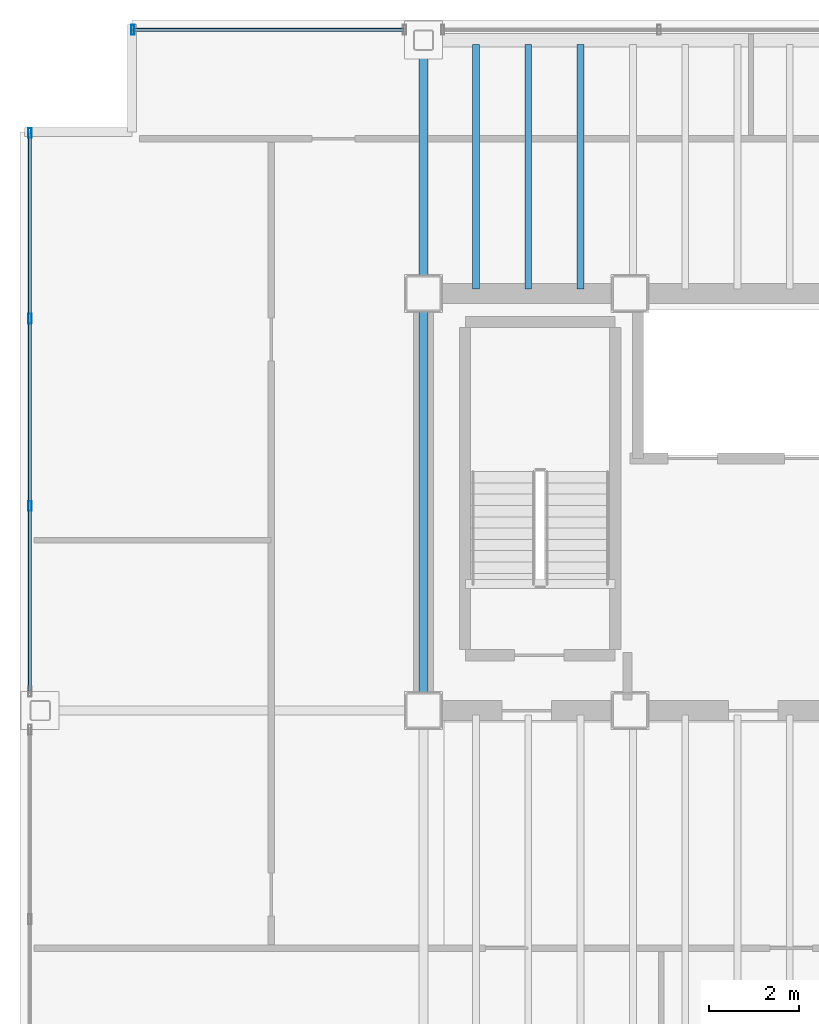
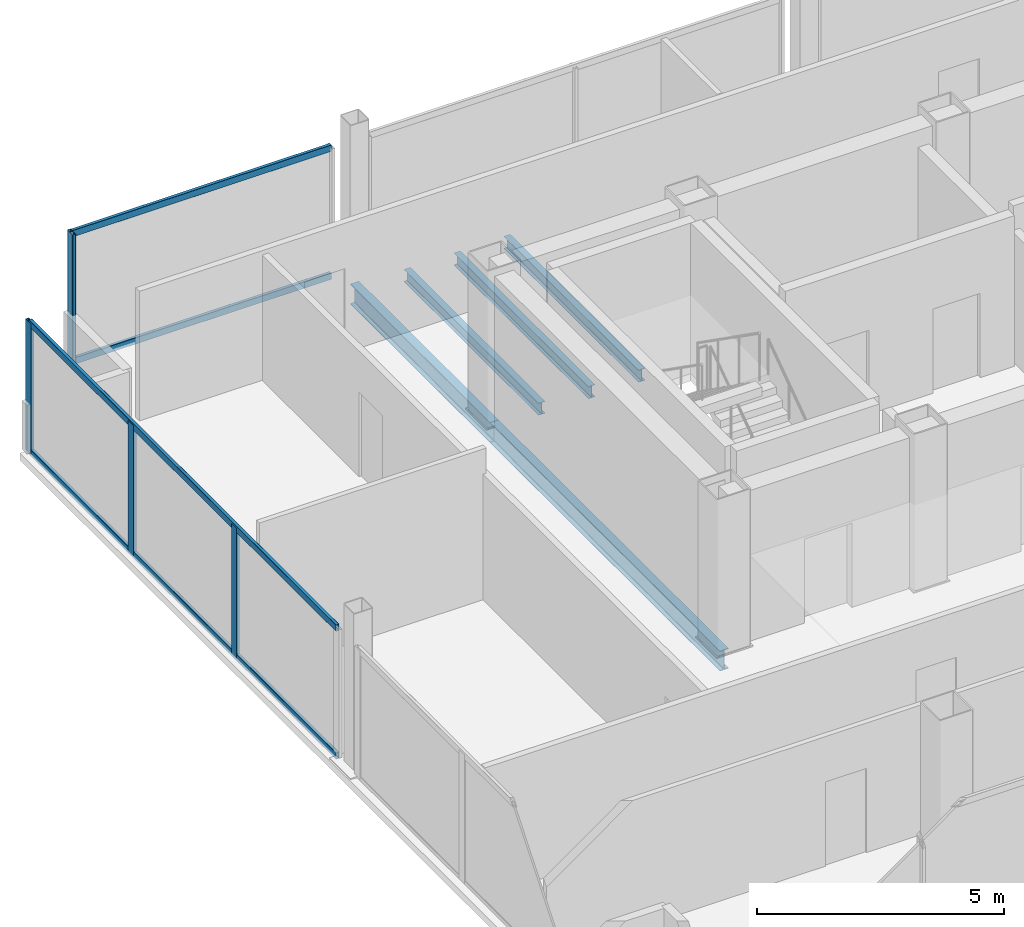
# One storey, part 8 of 17: 8 members, 5 beams, 2 elements without a shape of their own.
"""IFC4 building model written with IfcOpenShell, lengths in metres."""

from ifc_helpers import new_model, si_unit, direction, frame, origin, origin_2d, place, context, subcontext, project, spatial, hollow_rectangle, i_section, extrude, material, material_profile, profile_set, type_object, element, aggregate, save


model = new_model("IFC4")

# Units and contexts
model_context = context("Model", 3, precision=1e-05, world=origin(), true_north=direction((0.0, 1.0)))
body_context = subcontext(model_context, "Body", "Model", "MODEL_VIEW")
ifc_project = project(units=[si_unit("LENGTHUNIT", "METRE"), si_unit("AREAUNIT", "SQUARE_METRE"), si_unit("VOLUMEUNIT", "CUBIC_METRE"), si_unit("PLANEANGLEUNIT", "RADIAN"), si_unit("MASSUNIT", "GRAM", prefix="KILO")], contexts=[model_context])

# Site, building, storey
site_placement = place(None, origin())
site = spatial("IfcSite", under=ifc_project, at=site_placement, CompositionType="ELEMENT")
building_placement = place(site_placement, origin())
building = spatial("IfcBuilding", under=site, at=building_placement, Name="Noeulbin Bourse Tower", CompositionType="ELEMENT")
storey_placement = place(building_placement, frame((0.0, 0.0, 261.800048828125)))
storey = spatial("IfcBuildingStorey", under=building, at=storey_placement, Name="L65", CompositionType="ELEMENT", Elevation=261.800048828125)

# Beams
ifc_material_1 = material(Name="Steel S355", Category="steel")
ifc_material_profile_1 = material_profile(ifc_material_1, i_section(OverallWidth=0.199951171875, OverallDepth=0.5, WebThickness=0.010009765625, FlangeThickness=0.01611328125, FilletRadius=0.02001953125, at=origin_2d()), Name="H-500x200x10x16", Category="LoadBearing")
ifc_profile_set_1 = profile_set([ifc_material_profile_1], Name="Steel S355")
beam_type_1 = type_object("IfcBeamType", Name="BM-GRD-500", PredefinedType="USERDEFINED", material=ifc_profile_set_1)
beam_1_placement = place(storey_placement, frame((13.5, 29.0, -0.429931640625), z_axis=(0.0, 1.0, 0.0), x_axis=(-1.0, 0.0, 0.0)))
element("IfcBeam", 1, at=beam_1_placement, inside=storey, type_object=beam_type_1, Name="Tower Primary Girder NS L65-1.3", ObjectType="GIRDER", PredefinedType="USERDEFINED", context=body_context, shape_type="SweptSolid", body=[
    extrude(i_section(OverallWidth=0.199951171875, OverallDepth=0.5, WebThickness=0.010009765625, FlangeThickness=0.01611328125, FilletRadius=0.02001953125, at=origin_2d()), origin(), (0.0, 0.0, 1.0), 9.300048828125),
])
beam_2_placement = place(storey_placement, frame((13.5, 38.300048828125, -0.429931640625), z_axis=(0.0, 1.0, 0.0), x_axis=(-1.0, 0.0, 0.0)))
element("IfcBeam", 2, at=beam_2_placement, inside=storey, type_object=beam_type_1, Name="Tower Primary Girder NS L65-1.4", ObjectType="GIRDER", PredefinedType="USERDEFINED", context=body_context, shape_type="SweptSolid", body=[
    extrude(i_section(OverallWidth=0.199951171875, OverallDepth=0.5, WebThickness=0.010009765625, FlangeThickness=0.01611328125, FilletRadius=0.02001953125, at=origin_2d()), origin(), (0.0, 0.0, 1.0), 5.64990234375),
])
ifc_material_profile_2 = material_profile(ifc_material_1, i_section(OverallWidth=0.14990234375, OverallDepth=0.300048828125, WebThickness=0.006591796875, FlangeThickness=0.009033203125, FilletRadius=0.012939453125, at=origin_2d()), Name="H-300x150x6.5x9", Category="LoadBearing")
ifc_profile_set_2 = profile_set([ifc_material_profile_2], Name="Steel S355")
beam_type_2 = type_object("IfcBeamType", Name="BM-JST-300", PredefinedType="JOIST", material=ifc_profile_set_2)
for number, where, z_axis, x_axis, name in (
    (3, (14.666748046875, 38.39990234375, -0.330078125), (0.0, 1.0, 0.0), (-1.0, 0.0, 0.0), "Tower Composite Joist L65-02"),
    (4, (15.833251953125, 38.39990234375, -0.330078125), (0.0, 1.0, 0.0), (-1.0, 0.0, 0.0), "Tower Composite Joist L65-04"),
    (5, (17.0, 38.39990234375, -0.330078125), (0.0, 1.0, 0.0), (-1.0, 0.0, 0.0), "Tower Composite Joist L65-06"),
):
    element("IfcBeam", number, at=place(storey_placement, frame(where, z_axis=z_axis, x_axis=x_axis)), inside=storey, type_object=beam_type_2, Name=name, PredefinedType="JOIST", context=body_context, shape_type="SweptSolid", body=[
        extrude(i_section(OverallWidth=0.14990234375, OverallDepth=0.300048828125, WebThickness=0.006591796875, FlangeThickness=0.009033203125, FilletRadius=0.012939453125, at=origin_2d()), origin(), (0.0, 0.0, 1.0), 5.4501953125),
    ])

# Curtain wall, member
ifc_material_2 = material(Name="High-Selectivity Low-Iron Glazing", Category="glass")
curtain_wall_type = type_object("IfcCurtainWallType", Name="CW-SYS-4", PredefinedType="NOTDEFINED", material=ifc_material_2)
curtain_wall_1_placement = place(storey_placement, origin())
curtain_wall_1 = element("IfcCurtainWall", 6, at=curtain_wall_1_placement, inside=storey, type_object=curtain_wall_type, Name="Unitised Curtain Wall CW-L65-N-S1", PredefinedType="NOTDEFINED")
ifc_material_3 = material(Name="Anodised Aluminium 6063-T6", Category="aluminium")
ifc_material_profile_3 = material_profile(ifc_material_3, hollow_rectangle(XDim=0.074951171875, YDim=0.219970703125, WallThickness=0.0048828125, InnerFilletRadius=0.00244140625, OuterFilletRadius=0.0048828125, at=origin_2d()), Name="ALU-MULL-75x220x5", Category="LoadBearing")
ifc_profile_set_3 = profile_set([ifc_material_profile_3], Name="Anodised Aluminium 6063-T6")
member_type_1 = type_object("IfcMemberType", Name="CW-SYS-4-MUL", PredefinedType="MULLION", material=ifc_profile_set_3)
member_1_placement = place(storey_placement, frame((7.02001953125, 44.179931640625, -0.02001953125), z_axis=(0.0, 0.0, 1.0), x_axis=(1.0, 0.0, 0.0)))
member_1 = element("IfcMember", 7, at=member_1_placement, type_object=member_type_1, Name="Curtain Wall Mullion CW-L65-N-S1-M00", PredefinedType="MULLION", context=body_context, shape_type="SweptSolid", body=[
    extrude(hollow_rectangle(XDim=0.074951171875, YDim=0.219970703125, WallThickness=0.0048828125, InnerFilletRadius=0.00244140625, OuterFilletRadius=0.0048828125, at=origin_2d()), origin(), (0.0, 0.0, 1.0), 3.219970703125),
])

# Curtain wall, members
curtain_wall_2_placement = place(storey_placement, origin())
curtain_wall_2 = element("IfcCurtainWall", 8, at=curtain_wall_2_placement, inside=storey, type_object=curtain_wall_type, Name="Unitised Curtain Wall CW-L65-W-S2", PredefinedType="NOTDEFINED")
member_2_placement = place(storey_placement, frame((4.719970703125, 33.563232421875, -0.02001953125), z_axis=(0.0, 0.0, 1.0), x_axis=(1.0, 0.0, 0.0)))
member_2 = element("IfcMember", 9, at=member_2_placement, type_object=member_type_1, Name="Curtain Wall Mullion CW-L65-W-S2-M01", PredefinedType="MULLION", context=body_context, shape_type="SweptSolid", body=[
    extrude(hollow_rectangle(XDim=0.074951171875, YDim=0.219970703125, WallThickness=0.0048828125, InnerFilletRadius=0.00244140625, OuterFilletRadius=0.0048828125, at=origin_2d()), origin(), (0.0, 0.0, 1.0), 3.219970703125),
])
member_3_placement = place(storey_placement, frame((4.719970703125, 37.74169921875, -0.02001953125), z_axis=(0.0, 0.0, 1.0), x_axis=(1.0, 0.0, 0.0)))
member_3 = element("IfcMember", 10, at=member_3_placement, type_object=member_type_1, Name="Curtain Wall Mullion CW-L65-W-S2-M02", PredefinedType="MULLION", context=body_context, shape_type="SweptSolid", body=[
    extrude(hollow_rectangle(XDim=0.074951171875, YDim=0.219970703125, WallThickness=0.0048828125, InnerFilletRadius=0.00244140625, OuterFilletRadius=0.0048828125, at=origin_2d()), origin(), (0.0, 0.0, 1.0), 3.219970703125),
])
member_4_placement = place(storey_placement, frame((4.719970703125, 41.8798828125, -0.02001953125), z_axis=(0.0, 0.0, 1.0), x_axis=(1.0, 0.0, 0.0)))
member_4 = element("IfcMember", 11, at=member_4_placement, type_object=member_type_1, Name="Curtain Wall Mullion CW-L65-W-S2-M03", PredefinedType="MULLION", context=body_context, shape_type="SweptSolid", body=[
    extrude(hollow_rectangle(XDim=0.074951171875, YDim=0.219970703125, WallThickness=0.0048828125, InnerFilletRadius=0.00244140625, OuterFilletRadius=0.0048828125, at=origin_2d()), origin(), (0.0, 0.0, 1.0), 3.219970703125),
])

# Member
ifc_material_profile_4 = material_profile(ifc_material_3, hollow_rectangle(XDim=0.074951171875, YDim=0.159912109375, WallThickness=0.0048828125, InnerFilletRadius=0.00244140625, OuterFilletRadius=0.0048828125, at=origin_2d()), Name="ALU-TRAN-75x160x5", Category="LoadBearing")
ifc_profile_set_4 = profile_set([ifc_material_profile_4], Name="Anodised Aluminium 6063-T6")
member_type_2 = type_object("IfcMemberType", Name="CW-SYS-4-TRN", PredefinedType="USERDEFINED", material=ifc_profile_set_4)
member_5_placement = place(storey_placement, frame((7.030029296875, 44.179931640625, 0.010009765625), z_axis=(1.0, 0.0, 0.0), x_axis=(0.0, 1.0, 0.0)))
member_5 = element("IfcMember", 12, at=member_5_placement, type_object=member_type_2, Name="Curtain Wall Transom CW-L65-N-S1-T00", ObjectType="TRANSOM", PredefinedType="USERDEFINED", context=body_context, shape_type="SweptSolid", body=[
    extrude(hollow_rectangle(XDim=0.074951171875, YDim=0.159912109375, WallThickness=0.0048828125, InnerFilletRadius=0.00244140625, OuterFilletRadius=0.0048828125, at=origin_2d()), origin(), (0.0, 0.0, 1.0), 6.034912109375),
])

member_6_placement = place(storey_placement, frame((7.030029296875, 44.179931640625, 3.169921875), z_axis=(1.0, 0.0, 0.0), x_axis=(0.0, 1.0, 0.0)))
member_6 = element("IfcMember", 13, at=member_6_placement, type_object=member_type_2, Name="Curtain Wall Transom CW-L65-N-S1-T01", ObjectType="TRANSOM", PredefinedType="USERDEFINED", context=body_context, shape_type="SweptSolid", body=[
    extrude(hollow_rectangle(XDim=0.074951171875, YDim=0.159912109375, WallThickness=0.0048828125, InnerFilletRadius=0.00244140625, OuterFilletRadius=0.0048828125, at=origin_2d()), origin(), (0.0, 0.0, 1.0), 6.034912109375),
])

aggregate(curtain_wall_1, [member_1, member_5, member_6])

member_7_placement = place(storey_placement, frame((4.719970703125, 29.43505859375, 0.010009765625), z_axis=(0.0, 1.0, 0.0), x_axis=(-1.0, 0.0, 0.0)))
member_7 = element("IfcMember", 14, at=member_7_placement, type_object=member_type_2, Name="Curtain Wall Transom CW-L65-W-S2-T00", ObjectType="TRANSOM", PredefinedType="USERDEFINED", context=body_context, shape_type="SweptSolid", body=[
    extrude(hollow_rectangle(XDim=0.074951171875, YDim=0.159912109375, WallThickness=0.0048828125, InnerFilletRadius=0.00244140625, OuterFilletRadius=0.0048828125, at=origin_2d()), origin(), (0.0, 0.0, 1.0), 12.43505859375),
])

member_8_placement = place(storey_placement, frame((4.719970703125, 29.43505859375, 3.169921875), z_axis=(0.0, 1.0, 0.0), x_axis=(-1.0, 0.0, 0.0)))
member_8 = element("IfcMember", 15, at=member_8_placement, type_object=member_type_2, Name="Curtain Wall Transom CW-L65-W-S2-T01", ObjectType="TRANSOM", PredefinedType="USERDEFINED", context=body_context, shape_type="SweptSolid", body=[
    extrude(hollow_rectangle(XDim=0.074951171875, YDim=0.159912109375, WallThickness=0.0048828125, InnerFilletRadius=0.00244140625, OuterFilletRadius=0.0048828125, at=origin_2d()), origin(), (0.0, 0.0, 1.0), 12.43505859375),
])

aggregate(curtain_wall_2, [member_2, member_3, member_4, member_7, member_8])

save(model, "model.ifc")
